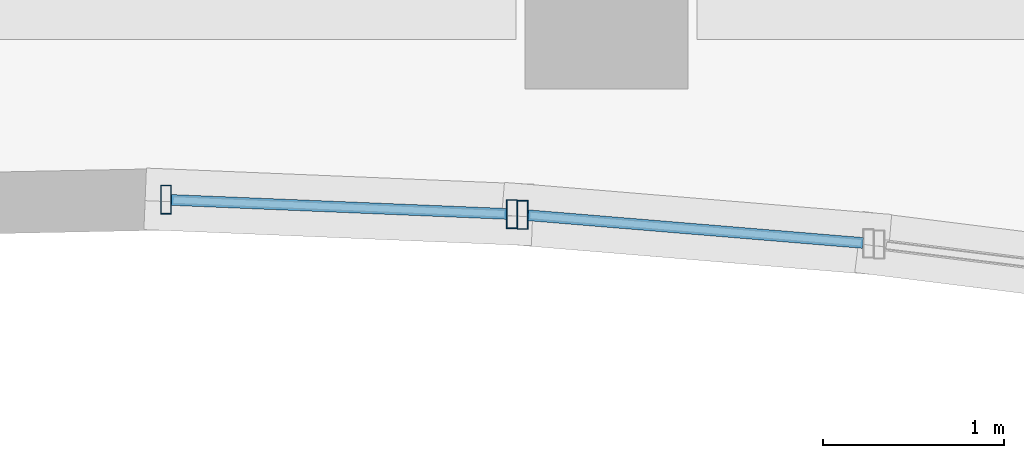
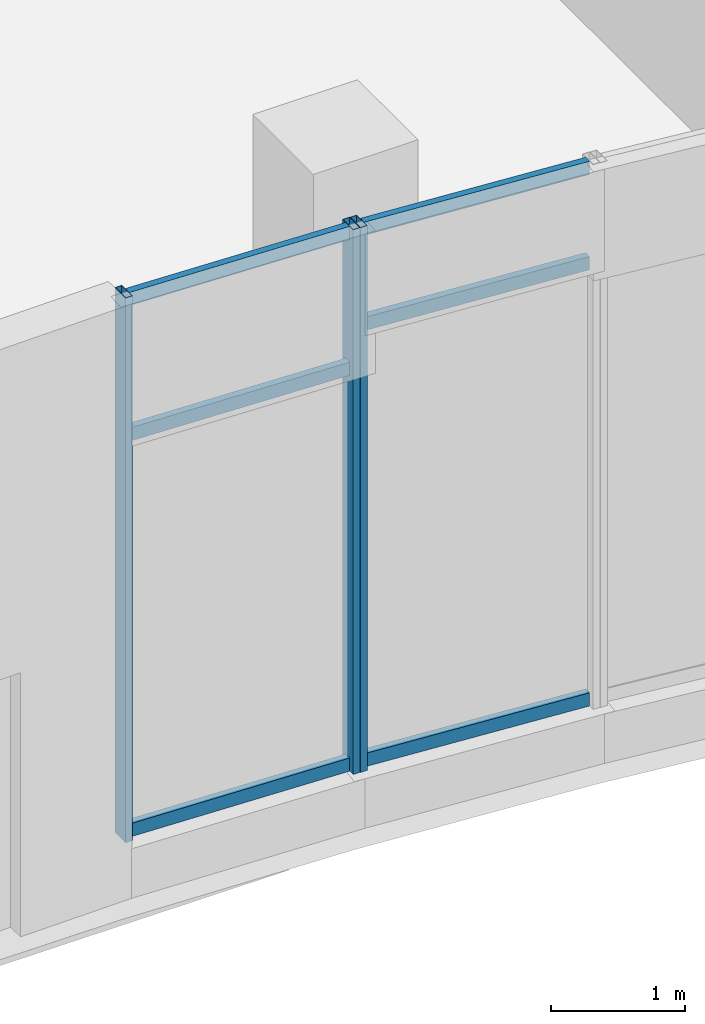
# One storey, part 82 of 192: 9 members, 2 elements without a shape of their own.
"""IFC4 building model written with IfcOpenShell, lengths in metres."""

from ifc_helpers import new_model, si_unit, direction, frame, origin, origin_2d, place, context, subcontext, project, spatial, hollow_rectangle, extrude, material, material_profile, profile_set, type_object, element, aggregate, save


model = new_model("IFC4")

# Units and contexts
model_context = context("Model", 3, precision=1e-05, world=origin(), true_north=direction((0.0, 1.0)))
body_context = subcontext(model_context, "Body", "Model", "MODEL_VIEW")
ifc_project = project(units=[si_unit("LENGTHUNIT", "METRE"), si_unit("AREAUNIT", "SQUARE_METRE"), si_unit("VOLUMEUNIT", "CUBIC_METRE"), si_unit("PLANEANGLEUNIT", "RADIAN"), si_unit("MASSUNIT", "GRAM", prefix="KILO")], contexts=[model_context])

# Site, building, storey
site_placement = place(None, origin())
site = spatial("IfcSite", under=ifc_project, at=site_placement, CompositionType="ELEMENT")
building_placement = place(site_placement, origin())
building = spatial("IfcBuilding", under=site, at=building_placement, Name="Cendralis Lancet Convention Centre", CompositionType="ELEMENT")
storey_placement = place(building_placement, origin())
storey = spatial("IfcBuildingStorey", under=building, at=storey_placement, Name="L00", CompositionType="ELEMENT", Elevation=0.0)

# Curtain wall, members
ifc_material = material(Name="Anodised bronze architectural aluminium", Category="aluminium")
curtain_wall_type = type_object("IfcCurtainWallType", Name="ARC-CW-WF02", PredefinedType="USERDEFINED", material=ifc_material)
curtain_wall_1_placement = place(storey_placement, origin())
curtain_wall_1 = element("IfcCurtainWall", 1, at=curtain_wall_1_placement, inside=storey, type_object=curtain_wall_type, Name="L00 Curtain Wall CW-WF2 #080", ObjectType="CURTAIN WALL", PredefinedType="USERDEFINED")
ifc_material_profile_1 = material_profile(ifc_material, hollow_rectangle(XDim=0.06005859375, YDim=0.159912109375, WallThickness=0.00390625, at=origin_2d()), Name="AL-MULL 60x160x4.0")
ifc_profile_set_1 = profile_set([ifc_material_profile_1], Name="Anodised bronze architectural aluminium")
member_type_1 = type_object("IfcMemberType", Name="ARC-CW-ML01", PredefinedType="MULLION", material=ifc_profile_set_1)
member_1_placement = place(storey_placement, frame((187.16796875, 6.138916015625, 0.449951171875), z_axis=(0.0, 0.0, 1.0), x_axis=(1.0, 0.0, 0.0)))
member_1 = element("IfcMember", 2, at=member_1_placement, type_object=member_type_1, Name="Mullion CW2-CW-WF2-L00-080-M0", PredefinedType="MULLION", context=body_context, shape_type="SweptSolid", body=[
    extrude(hollow_rectangle(XDim=0.06005859375, YDim=0.159912109375, WallThickness=0.00390625, at=origin_2d()), origin(), (0.0, 0.0, 1.0), 4.949951171875),
])
member_2_placement = place(storey_placement, frame((189.077880859375, 6.05908203125, 0.449951171875), z_axis=(0.0, 0.0, 1.0), x_axis=(1.0, 0.0, 0.0)))
member_2 = element("IfcMember", 3, at=member_2_placement, type_object=member_type_1, Name="Mullion CW2-CW-WF2-L00-080-M1", PredefinedType="MULLION", context=body_context, shape_type="SweptSolid", body=[
    extrude(hollow_rectangle(XDim=0.06005859375, YDim=0.159912109375, WallThickness=0.00390625, at=origin_2d()), origin(), (0.0, 0.0, 1.0), 4.949951171875),
])

# Curtain wall, member
curtain_wall_2_placement = place(storey_placement, origin())
curtain_wall_2 = element("IfcCurtainWall", 4, at=curtain_wall_2_placement, inside=storey, type_object=curtain_wall_type, Name="L00 Curtain Wall CW-WF2 #081", ObjectType="CURTAIN WALL", PredefinedType="USERDEFINED")
member_3_placement = place(storey_placement, frame((189.137939453125, 6.055419921875, 0.449951171875), z_axis=(0.0, 0.0, 1.0), x_axis=(1.0, 0.0, 0.0)))
member_3 = element("IfcMember", 5, at=member_3_placement, type_object=member_type_1, Name="Mullion CW2-CW-WF2-L00-081-M0", PredefinedType="MULLION", context=body_context, shape_type="SweptSolid", body=[
    extrude(hollow_rectangle(XDim=0.06005859375, YDim=0.159912109375, WallThickness=0.00390625, at=origin_2d()), origin(), (0.0, 0.0, 1.0), 4.949951171875),
])

# Member
ifc_material_profile_2 = material_profile(ifc_material, hollow_rectangle(XDim=0.06005859375, YDim=0.1201171875, WallThickness=0.00390625, at=origin_2d()), Name="AL-TRAN 60x120x4.0")
ifc_profile_set_2 = profile_set([ifc_material_profile_2], Name="Anodised bronze architectural aluminium")
member_type_2 = type_object("IfcMemberType", Name="ARC-CW-TR01", PredefinedType="USERDEFINED", material=ifc_profile_set_2)
member_4_placement = place(storey_placement, frame((187.197998046875, 6.137451171875, 0.510009765625), z_axis=(0.999137181296, -0.041531830576, 0.0), x_axis=(0.041531830576, 0.999137181296, 0.0)))
member_4 = element("IfcMember", 6, at=member_4_placement, type_object=member_type_2, Name="Transom CW2-CW-WF2-L00-080-T0BOT", ObjectType="TRANSOM", PredefinedType="USERDEFINED", context=body_context, shape_type="SweptSolid", body=[
    extrude(hollow_rectangle(XDim=0.06005859375, YDim=0.1201171875, WallThickness=0.00390625, at=origin_2d()), origin(), (0.0, 0.0, 1.0), 1.851806640625),
])

member_5_placement = place(storey_placement, frame((187.197998046875, 6.137451171875, 4.10693359375), z_axis=(0.999137181296, -0.041531830576, 0.0), x_axis=(0.041531830576, 0.999137181296, 0.0)))
member_5 = element("IfcMember", 7, at=member_5_placement, type_object=member_type_2, Name="Transom CW2-CW-WF2-L00-080-T0MID", ObjectType="TRANSOM", PredefinedType="USERDEFINED", context=body_context, shape_type="SweptSolid", body=[
    extrude(hollow_rectangle(XDim=0.06005859375, YDim=0.1201171875, WallThickness=0.00390625, at=origin_2d()), origin(), (0.0, 0.0, 1.0), 1.851806640625),
])

member_6_placement = place(storey_placement, frame((187.197998046875, 6.137451171875, 5.340087890625), z_axis=(0.999137181296, -0.041531830576, 0.0), x_axis=(0.041531830576, 0.999137181296, 0.0)))
member_6 = element("IfcMember", 8, at=member_6_placement, type_object=member_type_2, Name="Transom CW2-CW-WF2-L00-080-T0TOP", ObjectType="TRANSOM", PredefinedType="USERDEFINED", context=body_context, shape_type="SweptSolid", body=[
    extrude(hollow_rectangle(XDim=0.06005859375, YDim=0.1201171875, WallThickness=0.00390625, at=origin_2d()), origin(), (0.0, 0.0, 1.0), 1.851806640625),
])

aggregate(curtain_wall_1, [member_1, member_2, member_4, member_5, member_6])

member_7_placement = place(storey_placement, frame((189.167724609375, 6.052978515625, 0.510009765625), z_axis=(0.996591877521, -0.082490179169, 0.0), x_axis=(0.082490179169, 0.996591877521, 0.0)))
member_7 = element("IfcMember", 9, at=member_7_placement, type_object=member_type_2, Name="Transom CW2-CW-WF2-L00-081-T0BOT", ObjectType="TRANSOM", PredefinedType="USERDEFINED", context=body_context, shape_type="SweptSolid", body=[
    extrude(hollow_rectangle(XDim=0.06005859375, YDim=0.1201171875, WallThickness=0.00390625, at=origin_2d()), origin(), (0.0, 0.0, 1.0), 1.855712890625),
])

member_8_placement = place(storey_placement, frame((189.167724609375, 6.052978515625, 4.47412109375), z_axis=(0.996591877521, -0.082490179169, 0.0), x_axis=(0.082490179169, 0.996591877521, 0.0)))
member_8 = element("IfcMember", 10, at=member_8_placement, type_object=member_type_2, Name="Transom CW2-CW-WF2-L00-081-T0MID", ObjectType="TRANSOM", PredefinedType="USERDEFINED", context=body_context, shape_type="SweptSolid", body=[
    extrude(hollow_rectangle(XDim=0.06005859375, YDim=0.1201171875, WallThickness=0.00390625, at=origin_2d()), origin(), (0.0, 0.0, 1.0), 1.855712890625),
])

member_9_placement = place(storey_placement, frame((189.167724609375, 6.052978515625, 5.340087890625), z_axis=(0.996591877521, -0.082490179169, 0.0), x_axis=(0.082490179169, 0.996591877521, 0.0)))
member_9 = element("IfcMember", 11, at=member_9_placement, type_object=member_type_2, Name="Transom CW2-CW-WF2-L00-081-T0TOP", ObjectType="TRANSOM", PredefinedType="USERDEFINED", context=body_context, shape_type="SweptSolid", body=[
    extrude(hollow_rectangle(XDim=0.06005859375, YDim=0.1201171875, WallThickness=0.00390625, at=origin_2d()), origin(), (0.0, 0.0, 1.0), 1.855712890625),
])

aggregate(curtain_wall_2, [member_3, member_7, member_8, member_9])

save(model, "model.ifc")
